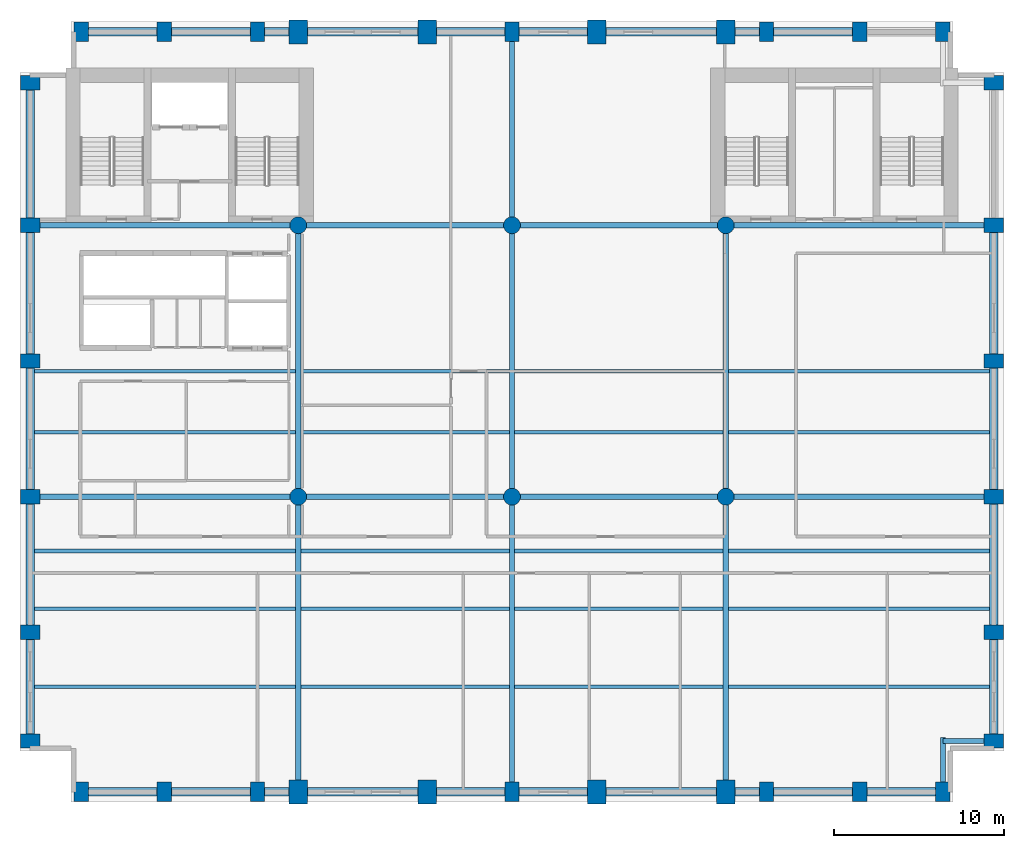
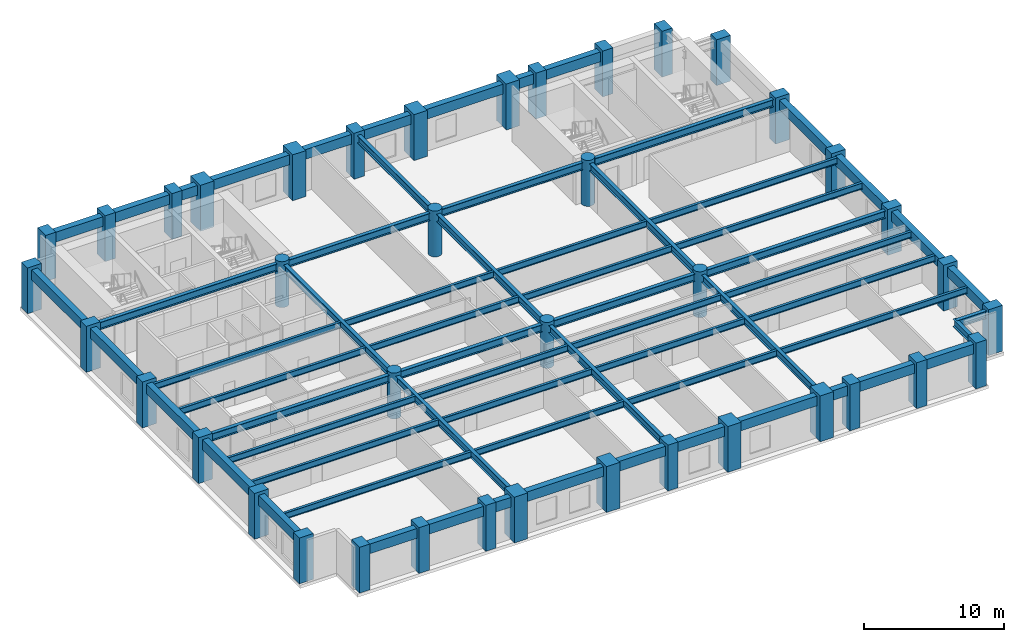
# One storey, part 1 of 8: 65 beams, 40 columns.
"""IFC4 building model written with IfcOpenShell, lengths in metres."""

from ifc_helpers import new_model, si_unit, direction, frame, origin, origin_2d, place, context, subcontext, project, spatial, rectangle, circle, i_section, extrude, material, material_profile, profile_set, type_object, element, save


model = new_model("IFC4")

# Units and contexts
model_context = context("Model", 3, precision=1e-05, world=origin(), true_north=direction((0.0, 1.0)))
body_context = subcontext(model_context, "Body", "Model", "MODEL_VIEW")
ifc_project = project(units=[si_unit("LENGTHUNIT", "METRE"), si_unit("AREAUNIT", "SQUARE_METRE"), si_unit("VOLUMEUNIT", "CUBIC_METRE"), si_unit("PLANEANGLEUNIT", "RADIAN"), si_unit("MASSUNIT", "GRAM", prefix="KILO")], contexts=[model_context])

# Site, building, storey
site_placement = place(None, origin())
site = spatial("IfcSite", under=ifc_project, at=site_placement, CompositionType="ELEMENT")
building_placement = place(site_placement, origin())
building = spatial("IfcBuilding", under=site, at=building_placement, Name="Sulina Concourse Tower", CompositionType="ELEMENT")
storey_placement = place(building_placement, frame((0.0, 0.0, 112.60009765625)))
storey = spatial("IfcBuildingStorey", under=building, at=storey_placement, Name="L27", CompositionType="ELEMENT", Elevation=112.60009765625)

# Columns
ifc_material_1 = material(Name="Concrete C60/75", Category="concrete")
ifc_material_profile_1 = material_profile(ifc_material_1, circle(Radius=0.5, at=origin_2d()), Name="RC D1000")
ifc_profile_set_1 = profile_set([ifc_material_profile_1], Name="Concrete C60/75")
column_type_1 = type_object("IfcColumnType", Name="Lower Interior Circular Column D1000", PredefinedType="COLUMN", material=ifc_profile_set_1)
for number, where, z_axis, x_axis, name in (
    (1, (16.39990234375, 18.0, 0.0), (0.0, 0.0, 1.0), (1.0, 0.0, 0.0), "L27 structural column IC-M-164"),
    (2, (16.39990234375, 34.0, 0.0), (0.0, 0.0, 1.0), (1.0, 0.0, 0.0), "L27 structural column IC-N-164"),
    (3, (29.0, 18.0, 0.0), (0.0, 0.0, 1.0), (1.0, 0.0, 0.0), "L27 structural column IC-M-290"),
    (4, (29.0, 34.0, 0.0), (0.0, 0.0, 1.0), (1.0, 0.0, 0.0), "L27 structural column IC-N-290"),
    (5, (41.60009765625, 18.0, 0.0), (0.0, 0.0, 1.0), (1.0, 0.0, 0.0), "L27 structural column IC-M-416"),
    (6, (41.60009765625, 34.0, 0.0), (0.0, 0.0, 1.0), (1.0, 0.0, 0.0), "L27 structural column IC-N-416"),
):
    element("IfcColumn", number, at=place(storey_placement, frame(where, z_axis=z_axis, x_axis=x_axis)), inside=storey, type_object=column_type_1, Name=name, PredefinedType="COLUMN", context=body_context, shape_type="SweptSolid", body=[
        extrude(circle(Radius=0.5, at=origin_2d()), origin(), (0.0, 0.0, 1.0), 4.0),
    ])
ifc_material_2 = material(Name="Concrete C60/75", Category="concrete")
ifc_material_profile_2 = material_profile(ifc_material_2, rectangle(XDim=1.10009765625, YDim=1.39990234375, at=origin_2d()), Name="RC 1100x1400")
ifc_profile_set_2 = profile_set([ifc_material_profile_2], Name="Concrete C60/75")
column_type_2 = type_object("IfcColumnType", Name="Mid-Rise Portal Column 1100x1400", PredefinedType="COLUMN", material=ifc_profile_set_2)
for number, where, z_axis, x_axis, name in (
    (7, (16.39990234375, 0.60009765625, 0.0), (0.0, 0.0, 1.0), (1.0, 0.0, 0.0), "L27 structural column TP-S-164"),
    (8, (16.39990234375, 45.39990234375, 0.0), (0.0, 0.0, 1.0), (1.0, 0.0, 0.0), "L27 structural column TP-N-164"),
    (9, (24.0, 0.60009765625, 0.0), (0.0, 0.0, 1.0), (1.0, 0.0, 0.0), "L27 structural column TP-S-240"),
    (10, (24.0, 45.39990234375, 0.0), (0.0, 0.0, 1.0), (1.0, 0.0, 0.0), "L27 structural column TP-N-240"),
    (11, (34.0, 0.60009765625, 0.0), (0.0, 0.0, 1.0), (1.0, 0.0, 0.0), "L27 structural column TP-S-340"),
    (12, (34.0, 45.39990234375, 0.0), (0.0, 0.0, 1.0), (1.0, 0.0, 0.0), "L27 structural column TP-N-340"),
    (13, (41.60009765625, 0.60009765625, 0.0), (0.0, 0.0, 1.0), (1.0, 0.0, 0.0), "L27 structural column TP-S-416"),
    (14, (41.60009765625, 45.39990234375, 0.0), (0.0, 0.0, 1.0), (1.0, 0.0, 0.0), "L27 structural column TP-N-416"),
):
    element("IfcColumn", number, at=place(storey_placement, frame(where, z_axis=z_axis, x_axis=x_axis)), inside=storey, type_object=column_type_2, Name=name, PredefinedType="COLUMN", context=body_context, shape_type="SweptSolid", body=[
        extrude(rectangle(XDim=1.10009765625, YDim=1.39990234375, at=origin_2d()), origin(), (0.0, 0.0, 1.0), 4.0),
    ])
ifc_material_3 = material(Name="Precast concrete C60/75", Category="concrete")
ifc_material_profile_3 = material_profile(ifc_material_3, rectangle(XDim=0.85009765625, YDim=1.14990234375, at=origin_2d()), Name="PC 850x1150")
ifc_profile_set_3 = profile_set([ifc_material_profile_3], Name="Precast concrete C60/75")
column_type_3 = type_object("IfcColumnType", Name="Precast Tube Pier Zone 2 850x1150", PredefinedType="COLUMN", material=ifc_profile_set_3)
for number, where, z_axis, x_axis, name in (
    (15, (3.60009765625, 0.60009765625, 0.0), (0.0, 0.0, 1.0), (1.0, 0.0, 0.0), "L27 structural column TP-S-36"),
    (16, (3.60009765625, 45.39990234375, 0.0), (0.0, 0.0, 1.0), (1.0, 0.0, 0.0), "L27 structural column TP-N-36"),
    (17, (8.5, 0.60009765625, 0.0), (0.0, 0.0, 1.0), (1.0, 0.0, 0.0), "L27 structural column TP-S-85"),
    (18, (8.5, 45.39990234375, 0.0), (0.0, 0.0, 1.0), (1.0, 0.0, 0.0), "L27 structural column TP-N-85"),
    (19, (14.0, 0.60009765625, 0.0), (0.0, 0.0, 1.0), (1.0, 0.0, 0.0), "L27 structural column TP-S-140"),
    (20, (14.0, 45.39990234375, 0.0), (0.0, 0.0, 1.0), (1.0, 0.0, 0.0), "L27 structural column TP-N-140"),
    (21, (29.0, 0.60009765625, 0.0), (0.0, 0.0, 1.0), (1.0, 0.0, 0.0), "L27 structural column TP-S-290"),
    (22, (29.0, 45.39990234375, 0.0), (0.0, 0.0, 1.0), (1.0, 0.0, 0.0), "L27 structural column TP-N-290"),
    (23, (44.0, 0.60009765625, 0.0), (0.0, 0.0, 1.0), (1.0, 0.0, 0.0), "L27 structural column TP-S-440"),
    (24, (44.0, 45.39990234375, 0.0), (0.0, 0.0, 1.0), (1.0, 0.0, 0.0), "L27 structural column TP-N-440"),
    (25, (49.5, 0.60009765625, 0.0), (0.0, 0.0, 1.0), (1.0, 0.0, 0.0), "L27 structural column TP-S-495"),
    (26, (49.5, 45.39990234375, 0.0), (0.0, 0.0, 1.0), (1.0, 0.0, 0.0), "L27 structural column TP-N-495"),
    (27, (54.39990234375, 0.60009765625, 0.0), (0.0, 0.0, 1.0), (1.0, 0.0, 0.0), "L27 structural column TP-S-544"),
    (28, (54.39990234375, 45.39990234375, 0.0), (0.0, 0.0, 1.0), (1.0, 0.0, 0.0), "L27 structural column TP-N-544"),
    (29, (0.60009765625, 3.60009765625, 0.0), (0.0, 0.0, 1.0), (0.0, 1.0, 0.0), "L27 structural column TP-W-36"),
    (30, (57.39990234375, 3.60009765625, 0.0), (0.0, 0.0, 1.0), (0.0, 1.0, 0.0), "L27 structural column TP-E-36"),
    (31, (0.60009765625, 10.0, 0.0), (0.0, 0.0, 1.0), (0.0, 1.0, 0.0), "L27 structural column TP-W-100"),
    (32, (57.39990234375, 10.0, 0.0), (0.0, 0.0, 1.0), (0.0, 1.0, 0.0), "L27 structural column TP-E-100"),
    (33, (0.60009765625, 18.0, 0.0), (0.0, 0.0, 1.0), (0.0, 1.0, 0.0), "L27 structural column TP-W-180"),
    (34, (57.39990234375, 18.0, 0.0), (0.0, 0.0, 1.0), (0.0, 1.0, 0.0), "L27 structural column TP-E-180"),
    (35, (0.60009765625, 26.0, 0.0), (0.0, 0.0, 1.0), (0.0, 1.0, 0.0), "L27 structural column TP-W-260"),
    (36, (57.39990234375, 26.0, 0.0), (0.0, 0.0, 1.0), (0.0, 1.0, 0.0), "L27 structural column TP-E-260"),
    (37, (0.60009765625, 34.0, 0.0), (0.0, 0.0, 1.0), (0.0, 1.0, 0.0), "L27 structural column TP-W-340"),
    (38, (57.39990234375, 34.0, 0.0), (0.0, 0.0, 1.0), (0.0, 1.0, 0.0), "L27 structural column TP-E-340"),
    (39, (0.60009765625, 42.39990234375, 0.0), (0.0, 0.0, 1.0), (0.0, 1.0, 0.0), "L27 structural column TP-W-424"),
    (40, (57.39990234375, 42.39990234375, 0.0), (0.0, 0.0, 1.0), (0.0, 1.0, 0.0), "L27 structural column TP-E-424"),
):
    element("IfcColumn", number, at=place(storey_placement, frame(where, z_axis=z_axis, x_axis=x_axis)), inside=storey, type_object=column_type_3, Name=name, PredefinedType="COLUMN", context=body_context, shape_type="SweptSolid", body=[
        extrude(rectangle(XDim=0.85009765625, YDim=1.14990234375, at=origin_2d()), origin(), (0.0, 0.0, 1.0), 4.0),
    ])

# Beams
ifc_material_4 = material(Name="Steel S355", Category="steel")
ifc_material_profile_4 = material_profile(ifc_material_4, i_section(OverallWidth=0.2099609375, OverallDepth=0.550048828125, WebThickness=0.010986328125, FlangeThickness=0.01708984375, at=origin_2d()), Name="IPE 550")
ifc_profile_set_4 = profile_set([ifc_material_profile_4], Name="Steel S355")
beam_type_1 = type_object("IfcBeamType", Name="Composite Floor Joist IPE550", PredefinedType="JOIST", material=ifc_profile_set_4)
beam_1_placement = place(storey_placement, frame((0.85009765625, 6.800048828125, 3.449951171875), z_axis=(1.0, 0.0, 0.0), x_axis=(0.0, 1.0, 0.0)))
element("IfcBeam", 41, at=beam_1_placement, inside=storey, type_object=beam_type_1, Name="FJ-J06-1-L27", PredefinedType="JOIST", context=body_context, shape_type="SweptSolid", body=[
    extrude(i_section(OverallWidth=0.2099609375, OverallDepth=0.550048828125, WebThickness=0.010986328125, FlangeThickness=0.01708984375, at=origin_2d()), origin(), (0.0, 0.0, 1.0), 15.39990234375),
])
for number, where, z_axis, x_axis, name in (
    (42, (16.550048828125, 6.800048828125, 3.449951171875), (1.0, 0.0, 0.0), (0.0, 1.0, 0.0), "FJ-J06-2-L27"),
    (43, (29.14990234375, 6.800048828125, 3.449951171875), (1.0, 0.0, 0.0), (0.0, 1.0, 0.0), "FJ-J06-3-L27"),
):
    element("IfcBeam", number, at=place(storey_placement, frame(where, z_axis=z_axis, x_axis=x_axis)), inside=storey, type_object=beam_type_1, Name=name, PredefinedType="JOIST", context=body_context, shape_type="SweptSolid", body=[
        extrude(i_section(OverallWidth=0.2099609375, OverallDepth=0.550048828125, WebThickness=0.010986328125, FlangeThickness=0.01708984375, at=origin_2d()), origin(), (0.0, 0.0, 1.0), 12.300048828125),
    ])
for number, where, z_axis, x_axis, name in (
    (44, (41.75, 6.800048828125, 3.449951171875), (1.0, 0.0, 0.0), (0.0, 1.0, 0.0), "FJ-J06-4-L27"),
    (45, (0.85009765625, 11.39990234375, 3.449951171875), (1.0, 0.0, 0.0), (0.0, 1.0, 0.0), "FJ-J11-1-L27"),
):
    element("IfcBeam", number, at=place(storey_placement, frame(where, z_axis=z_axis, x_axis=x_axis)), inside=storey, type_object=beam_type_1, Name=name, PredefinedType="JOIST", context=body_context, shape_type="SweptSolid", body=[
        extrude(i_section(OverallWidth=0.2099609375, OverallDepth=0.550048828125, WebThickness=0.010986328125, FlangeThickness=0.01708984375, at=origin_2d()), origin(), (0.0, 0.0, 1.0), 15.39990234375),
    ])
for number, where, z_axis, x_axis, name in (
    (46, (16.550048828125, 11.39990234375, 3.449951171875), (1.0, 0.0, 0.0), (0.0, 1.0, 0.0), "FJ-J11-2-L27"),
    (47, (29.14990234375, 11.39990234375, 3.449951171875), (1.0, 0.0, 0.0), (0.0, 1.0, 0.0), "FJ-J11-3-L27"),
):
    element("IfcBeam", number, at=place(storey_placement, frame(where, z_axis=z_axis, x_axis=x_axis)), inside=storey, type_object=beam_type_1, Name=name, PredefinedType="JOIST", context=body_context, shape_type="SweptSolid", body=[
        extrude(i_section(OverallWidth=0.2099609375, OverallDepth=0.550048828125, WebThickness=0.010986328125, FlangeThickness=0.01708984375, at=origin_2d()), origin(), (0.0, 0.0, 1.0), 12.300048828125),
    ])
for number, where, z_axis, x_axis, name in (
    (48, (41.75, 11.39990234375, 3.449951171875), (1.0, 0.0, 0.0), (0.0, 1.0, 0.0), "FJ-J11-4-L27"),
    (49, (0.85009765625, 14.800048828125, 3.449951171875), (1.0, 0.0, 0.0), (0.0, 1.0, 0.0), "FJ-J15-1-L27"),
):
    element("IfcBeam", number, at=place(storey_placement, frame(where, z_axis=z_axis, x_axis=x_axis)), inside=storey, type_object=beam_type_1, Name=name, PredefinedType="JOIST", context=body_context, shape_type="SweptSolid", body=[
        extrude(i_section(OverallWidth=0.2099609375, OverallDepth=0.550048828125, WebThickness=0.010986328125, FlangeThickness=0.01708984375, at=origin_2d()), origin(), (0.0, 0.0, 1.0), 15.39990234375),
    ])
for number, where, z_axis, x_axis, name in (
    (50, (16.550048828125, 14.800048828125, 3.449951171875), (1.0, 0.0, 0.0), (0.0, 1.0, 0.0), "FJ-J15-2-L27"),
    (51, (29.14990234375, 14.800048828125, 3.449951171875), (1.0, 0.0, 0.0), (0.0, 1.0, 0.0), "FJ-J15-3-L27"),
):
    element("IfcBeam", number, at=place(storey_placement, frame(where, z_axis=z_axis, x_axis=x_axis)), inside=storey, type_object=beam_type_1, Name=name, PredefinedType="JOIST", context=body_context, shape_type="SweptSolid", body=[
        extrude(i_section(OverallWidth=0.2099609375, OverallDepth=0.550048828125, WebThickness=0.010986328125, FlangeThickness=0.01708984375, at=origin_2d()), origin(), (0.0, 0.0, 1.0), 12.300048828125),
    ])
for number, where, z_axis, x_axis, name in (
    (52, (41.75, 14.800048828125, 3.449951171875), (1.0, 0.0, 0.0), (0.0, 1.0, 0.0), "FJ-J15-4-L27"),
    (53, (0.85009765625, 21.800048828125, 3.449951171875), (1.0, 0.0, 0.0), (0.0, 1.0, 0.0), "FJ-J22-1-L27"),
):
    element("IfcBeam", number, at=place(storey_placement, frame(where, z_axis=z_axis, x_axis=x_axis)), inside=storey, type_object=beam_type_1, Name=name, PredefinedType="JOIST", context=body_context, shape_type="SweptSolid", body=[
        extrude(i_section(OverallWidth=0.2099609375, OverallDepth=0.550048828125, WebThickness=0.010986328125, FlangeThickness=0.01708984375, at=origin_2d()), origin(), (0.0, 0.0, 1.0), 15.39990234375),
    ])
for number, where, z_axis, x_axis, name in (
    (54, (16.550048828125, 21.800048828125, 3.449951171875), (1.0, 0.0, 0.0), (0.0, 1.0, 0.0), "FJ-J22-2-L27"),
    (55, (29.14990234375, 21.800048828125, 3.449951171875), (1.0, 0.0, 0.0), (0.0, 1.0, 0.0), "FJ-J22-3-L27"),
):
    element("IfcBeam", number, at=place(storey_placement, frame(where, z_axis=z_axis, x_axis=x_axis)), inside=storey, type_object=beam_type_1, Name=name, PredefinedType="JOIST", context=body_context, shape_type="SweptSolid", body=[
        extrude(i_section(OverallWidth=0.2099609375, OverallDepth=0.550048828125, WebThickness=0.010986328125, FlangeThickness=0.01708984375, at=origin_2d()), origin(), (0.0, 0.0, 1.0), 12.300048828125),
    ])
for number, where, z_axis, x_axis, name in (
    (56, (41.75, 21.800048828125, 3.449951171875), (1.0, 0.0, 0.0), (0.0, 1.0, 0.0), "FJ-J22-4-L27"),
    (57, (0.85009765625, 25.39990234375, 3.449951171875), (1.0, 0.0, 0.0), (0.0, 1.0, 0.0), "FJ-J25-1-L27"),
):
    element("IfcBeam", number, at=place(storey_placement, frame(where, z_axis=z_axis, x_axis=x_axis)), inside=storey, type_object=beam_type_1, Name=name, PredefinedType="JOIST", context=body_context, shape_type="SweptSolid", body=[
        extrude(i_section(OverallWidth=0.2099609375, OverallDepth=0.550048828125, WebThickness=0.010986328125, FlangeThickness=0.01708984375, at=origin_2d()), origin(), (0.0, 0.0, 1.0), 15.39990234375),
    ])
for number, where, z_axis, x_axis, name in (
    (58, (16.550048828125, 25.39990234375, 3.449951171875), (1.0, 0.0, 0.0), (0.0, 1.0, 0.0), "FJ-J25-2-L27"),
    (59, (29.14990234375, 25.39990234375, 3.449951171875), (1.0, 0.0, 0.0), (0.0, 1.0, 0.0), "FJ-J25-3-L27"),
):
    element("IfcBeam", number, at=place(storey_placement, frame(where, z_axis=z_axis, x_axis=x_axis)), inside=storey, type_object=beam_type_1, Name=name, PredefinedType="JOIST", context=body_context, shape_type="SweptSolid", body=[
        extrude(i_section(OverallWidth=0.2099609375, OverallDepth=0.550048828125, WebThickness=0.010986328125, FlangeThickness=0.01708984375, at=origin_2d()), origin(), (0.0, 0.0, 1.0), 12.300048828125),
    ])
beam_2_placement = place(storey_placement, frame((41.75, 25.39990234375, 3.449951171875), z_axis=(1.0, 0.0, 0.0), x_axis=(0.0, 1.0, 0.0)))
element("IfcBeam", 60, at=beam_2_placement, inside=storey, type_object=beam_type_1, Name="FJ-J25-4-L27", PredefinedType="JOIST", context=body_context, shape_type="SweptSolid", body=[
    extrude(i_section(OverallWidth=0.2099609375, OverallDepth=0.550048828125, WebThickness=0.010986328125, FlangeThickness=0.01708984375, at=origin_2d()), origin(), (0.0, 0.0, 1.0), 15.39990234375),
])
ifc_material_5 = material(Name="Steel S355", Category="steel")
ifc_material_profile_5 = material_profile(ifc_material_5, i_section(OverallWidth=0.300048828125, OverallDepth=0.64990234375, WebThickness=0.01611328125, FlangeThickness=0.031005859375, at=origin_2d()), Name="HE 650 B")
ifc_profile_set_5 = profile_set([ifc_material_profile_5], Name="Steel S355")
beam_type_2 = type_object("IfcBeamType", Name="Floor Primary Girder Zone 2 HE650B", PredefinedType="BEAM", material=ifc_profile_set_5)
beam_3_placement = place(storey_placement, frame((54.39990234375, 3.60009765625, 3.39990234375), z_axis=(1.0, 0.0, 0.0), x_axis=(0.0, 1.0, 0.0)))
element("IfcBeam", 61, at=beam_3_placement, inside=storey, type_object=beam_type_2, Name="TIE-SE-L27", PredefinedType="BEAM", context=body_context, shape_type="SweptSolid", body=[
    extrude(i_section(OverallWidth=0.300048828125, OverallDepth=0.64990234375, WebThickness=0.01611328125, FlangeThickness=0.031005859375, at=origin_2d()), origin(), (0.0, 0.0, 1.0), 2.59521484375),
])
beam_4_placement = place(storey_placement, frame((54.39990234375, 1.0048828125, 3.39990234375), z_axis=(0.0, 1.0, 0.0), x_axis=(-1.0, 0.0, 0.0)))
element("IfcBeam", 62, at=beam_4_placement, inside=storey, type_object=beam_type_2, Name="TIE-SES-L27", PredefinedType="BEAM", context=body_context, shape_type="SweptSolid", body=[
    extrude(i_section(OverallWidth=0.300048828125, OverallDepth=0.64990234375, WebThickness=0.01611328125, FlangeThickness=0.031005859375, at=origin_2d()), origin(), (0.0, 0.0, 1.0), 2.795166015625),
])
beam_5_placement = place(storey_placement, frame((1.0048828125, 18.0, 3.39990234375), z_axis=(1.0, 0.0, 0.0), x_axis=(0.0, 1.0, 0.0)))
element("IfcBeam", 63, at=beam_5_placement, inside=storey, type_object=beam_type_2, Name="FG-EW1-L27", PredefinedType="BEAM", context=body_context, shape_type="SweptSolid", body=[
    extrude(i_section(OverallWidth=0.300048828125, OverallDepth=0.64990234375, WebThickness=0.01611328125, FlangeThickness=0.031005859375, at=origin_2d()), origin(), (0.0, 0.0, 1.0), 14.9150390625),
])
for number, where, z_axis, x_axis, name in (
    (64, (16.8798828125, 18.0, 3.39990234375), (1.0, 0.0, 0.0), (0.0, 1.0, 0.0), "FG-EW2-L27"),
    (65, (29.47998046875, 18.0, 3.39990234375), (1.0, 0.0, 0.0), (0.0, 1.0, 0.0), "FG-EW3-L27"),
):
    element("IfcBeam", number, at=place(storey_placement, frame(where, z_axis=z_axis, x_axis=x_axis)), inside=storey, type_object=beam_type_2, Name=name, PredefinedType="BEAM", context=body_context, shape_type="SweptSolid", body=[
        extrude(i_section(OverallWidth=0.300048828125, OverallDepth=0.64990234375, WebThickness=0.01611328125, FlangeThickness=0.031005859375, at=origin_2d()), origin(), (0.0, 0.0, 1.0), 11.64013671875),
    ])
for number, where, z_axis, x_axis, name in (
    (66, (42.080078125, 18.0, 3.39990234375), (1.0, 0.0, 0.0), (0.0, 1.0, 0.0), "FG-EW4-L27"),
    (67, (1.0048828125, 34.0, 3.39990234375), (1.0, 0.0, 0.0), (0.0, 1.0, 0.0), "FG-EWN1-L27"),
):
    element("IfcBeam", number, at=place(storey_placement, frame(where, z_axis=z_axis, x_axis=x_axis)), inside=storey, type_object=beam_type_2, Name=name, PredefinedType="BEAM", context=body_context, shape_type="SweptSolid", body=[
        extrude(i_section(OverallWidth=0.300048828125, OverallDepth=0.64990234375, WebThickness=0.01611328125, FlangeThickness=0.031005859375, at=origin_2d()), origin(), (0.0, 0.0, 1.0), 14.9150390625),
    ])
for number, where, z_axis, x_axis, name in (
    (68, (16.8798828125, 34.0, 3.39990234375), (1.0, 0.0, 0.0), (0.0, 1.0, 0.0), "FG-EWN2-L27"),
    (69, (29.47998046875, 34.0, 3.39990234375), (1.0, 0.0, 0.0), (0.0, 1.0, 0.0), "FG-EWN3-L27"),
):
    element("IfcBeam", number, at=place(storey_placement, frame(where, z_axis=z_axis, x_axis=x_axis)), inside=storey, type_object=beam_type_2, Name=name, PredefinedType="BEAM", context=body_context, shape_type="SweptSolid", body=[
        extrude(i_section(OverallWidth=0.300048828125, OverallDepth=0.64990234375, WebThickness=0.01611328125, FlangeThickness=0.031005859375, at=origin_2d()), origin(), (0.0, 0.0, 1.0), 11.64013671875),
    ])
beam_6_placement = place(storey_placement, frame((42.080078125, 34.0, 3.39990234375), z_axis=(1.0, 0.0, 0.0), x_axis=(0.0, 1.0, 0.0)))
element("IfcBeam", 70, at=beam_6_placement, inside=storey, type_object=beam_type_2, Name="FG-EWN4-L27", PredefinedType="BEAM", context=body_context, shape_type="SweptSolid", body=[
    extrude(i_section(OverallWidth=0.300048828125, OverallDepth=0.64990234375, WebThickness=0.01611328125, FlangeThickness=0.031005859375, at=origin_2d()), origin(), (0.0, 0.0, 1.0), 14.9150390625),
])
beam_7_placement = place(storey_placement, frame((16.39990234375, 1.1298828125, 3.39990234375), z_axis=(0.0, 1.0, 0.0), x_axis=(-1.0, 0.0, 0.0)))
element("IfcBeam", 71, at=beam_7_placement, inside=storey, type_object=beam_type_2, Name="FG-NSA-16-L27", PredefinedType="BEAM", context=body_context, shape_type="SweptSolid", body=[
    extrude(i_section(OverallWidth=0.300048828125, OverallDepth=0.64990234375, WebThickness=0.01611328125, FlangeThickness=0.031005859375, at=origin_2d()), origin(), (0.0, 0.0, 1.0), 16.39013671875),
])
beam_8_placement = place(storey_placement, frame((16.39990234375, 18.47998046875, 3.39990234375), z_axis=(0.0, 1.0, 0.0), x_axis=(-1.0, 0.0, 0.0)))
element("IfcBeam", 72, at=beam_8_placement, inside=storey, type_object=beam_type_2, Name="FG-NSB-16-L27", PredefinedType="BEAM", context=body_context, shape_type="SweptSolid", body=[
    extrude(i_section(OverallWidth=0.300048828125, OverallDepth=0.64990234375, WebThickness=0.01611328125, FlangeThickness=0.031005859375, at=origin_2d()), origin(), (0.0, 0.0, 1.0), 15.0400390625),
])
beam_9_placement = place(storey_placement, frame((29.0, 1.0048828125, 3.39990234375), z_axis=(0.0, 1.0, 0.0), x_axis=(-1.0, 0.0, 0.0)))
element("IfcBeam", 73, at=beam_9_placement, inside=storey, type_object=beam_type_2, Name="FG-NSA-29-L27", PredefinedType="BEAM", context=body_context, shape_type="SweptSolid", body=[
    extrude(i_section(OverallWidth=0.300048828125, OverallDepth=0.64990234375, WebThickness=0.01611328125, FlangeThickness=0.031005859375, at=origin_2d()), origin(), (0.0, 0.0, 1.0), 16.51513671875),
])
beam_10_placement = place(storey_placement, frame((29.0, 18.47998046875, 3.39990234375), z_axis=(0.0, 1.0, 0.0), x_axis=(-1.0, 0.0, 0.0)))
element("IfcBeam", 74, at=beam_10_placement, inside=storey, type_object=beam_type_2, Name="FG-NSB-29-L27", PredefinedType="BEAM", context=body_context, shape_type="SweptSolid", body=[
    extrude(i_section(OverallWidth=0.300048828125, OverallDepth=0.64990234375, WebThickness=0.01611328125, FlangeThickness=0.031005859375, at=origin_2d()), origin(), (0.0, 0.0, 1.0), 15.0400390625),
])
beam_11_placement = place(storey_placement, frame((29.0, 34.47998046875, 3.39990234375), z_axis=(0.0, 1.0, 0.0), x_axis=(-1.0, 0.0, 0.0)))
element("IfcBeam", 75, at=beam_11_placement, inside=storey, type_object=beam_type_2, Name="FG-NSC-29-L27", PredefinedType="BEAM", context=body_context, shape_type="SweptSolid", body=[
    extrude(i_section(OverallWidth=0.300048828125, OverallDepth=0.64990234375, WebThickness=0.01611328125, FlangeThickness=0.031005859375, at=origin_2d()), origin(), (0.0, 0.0, 1.0), 10.51513671875),
])
beam_12_placement = place(storey_placement, frame((41.60009765625, 1.1298828125, 3.39990234375), z_axis=(0.0, 1.0, 0.0), x_axis=(-1.0, 0.0, 0.0)))
element("IfcBeam", 76, at=beam_12_placement, inside=storey, type_object=beam_type_2, Name="FG-NSA-41-L27", PredefinedType="BEAM", context=body_context, shape_type="SweptSolid", body=[
    extrude(i_section(OverallWidth=0.300048828125, OverallDepth=0.64990234375, WebThickness=0.01611328125, FlangeThickness=0.031005859375, at=origin_2d()), origin(), (0.0, 0.0, 1.0), 16.39013671875),
])
beam_13_placement = place(storey_placement, frame((41.60009765625, 18.47998046875, 3.39990234375), z_axis=(0.0, 1.0, 0.0), x_axis=(-1.0, 0.0, 0.0)))
element("IfcBeam", 77, at=beam_13_placement, inside=storey, type_object=beam_type_2, Name="FG-NSB-41-L27", PredefinedType="BEAM", context=body_context, shape_type="SweptSolid", body=[
    extrude(i_section(OverallWidth=0.300048828125, OverallDepth=0.64990234375, WebThickness=0.01611328125, FlangeThickness=0.031005859375, at=origin_2d()), origin(), (0.0, 0.0, 1.0), 15.0400390625),
])
ifc_material_6 = material(Name="Precast concrete C50/60", Category="concrete")
ifc_material_profile_6 = material_profile(ifc_material_6, rectangle(XDim=0.5, YDim=0.85009765625, at=origin_2d()), Name="RC 500x850")
ifc_profile_set_6 = profile_set([ifc_material_profile_6], Name="Precast concrete C50/60")
beam_type_3 = type_object("IfcBeamType", Name="Lower Precast Spandrel Edge Beam 500x850", PredefinedType="BEAM", material=ifc_profile_set_6)
beam_14_placement = place(storey_placement, frame((4.0048828125, 0.60009765625, 3.2998046875), z_axis=(1.0, 0.0, 0.0), x_axis=(0.0, 1.0, 0.0)))
element("IfcBeam", 78, at=beam_14_placement, inside=storey, type_object=beam_type_3, Name="SP-S1-L27", PredefinedType="BEAM", context=body_context, shape_type="SweptSolid", body=[
    extrude(rectangle(XDim=0.5, YDim=0.85009765625, at=origin_2d()), origin(), (0.0, 0.0, 1.0), 4.090087890625),
])
beam_15_placement = place(storey_placement, frame((8.905029296875, 0.60009765625, 3.2998046875), z_axis=(1.0, 0.0, 0.0), x_axis=(0.0, 1.0, 0.0)))
element("IfcBeam", 79, at=beam_15_placement, inside=storey, type_object=beam_type_3, Name="SP-S2-L27", PredefinedType="BEAM", context=body_context, shape_type="SweptSolid", body=[
    extrude(rectangle(XDim=0.5, YDim=0.85009765625, at=origin_2d()), origin(), (0.0, 0.0, 1.0), 4.68994140625),
])
beam_16_placement = place(storey_placement, frame((14.405029296875, 0.60009765625, 3.2998046875), z_axis=(1.0, 0.0, 0.0), x_axis=(0.0, 1.0, 0.0)))
element("IfcBeam", 80, at=beam_16_placement, inside=storey, type_object=beam_type_3, Name="SP-S3-L27", PredefinedType="BEAM", context=body_context, shape_type="SweptSolid", body=[
    extrude(rectangle(XDim=0.5, YDim=0.85009765625, at=origin_2d()), origin(), (0.0, 0.0, 1.0), 1.465087890625),
])
beam_17_placement = place(storey_placement, frame((16.929931640625, 0.60009765625, 3.2998046875), z_axis=(1.0, 0.0, 0.0), x_axis=(0.0, 1.0, 0.0)))
element("IfcBeam", 81, at=beam_17_placement, inside=storey, type_object=beam_type_3, Name="SP-S4-L27", PredefinedType="BEAM", context=body_context, shape_type="SweptSolid", body=[
    extrude(rectangle(XDim=0.5, YDim=0.85009765625, at=origin_2d()), origin(), (0.0, 0.0, 1.0), 6.5400390625),
])
for number, where, z_axis, x_axis, name in (
    (82, (24.530029296875, 0.60009765625, 3.2998046875), (1.0, 0.0, 0.0), (0.0, 1.0, 0.0), "SP-S5-L27"),
    (83, (29.405029296875, 0.60009765625, 3.2998046875), (1.0, 0.0, 0.0), (0.0, 1.0, 0.0), "SP-S6-L27"),
):
    element("IfcBeam", number, at=place(storey_placement, frame(where, z_axis=z_axis, x_axis=x_axis)), inside=storey, type_object=beam_type_3, Name=name, PredefinedType="BEAM", context=body_context, shape_type="SweptSolid", body=[
        extrude(rectangle(XDim=0.5, YDim=0.85009765625, at=origin_2d()), origin(), (0.0, 0.0, 1.0), 4.06494140625),
    ])
beam_18_placement = place(storey_placement, frame((34.530029296875, 0.60009765625, 3.2998046875), z_axis=(1.0, 0.0, 0.0), x_axis=(0.0, 1.0, 0.0)))
element("IfcBeam", 84, at=beam_18_placement, inside=storey, type_object=beam_type_3, Name="SP-S7-L27", PredefinedType="BEAM", context=body_context, shape_type="SweptSolid", body=[
    extrude(rectangle(XDim=0.5, YDim=0.85009765625, at=origin_2d()), origin(), (0.0, 0.0, 1.0), 6.5400390625),
])
beam_19_placement = place(storey_placement, frame((42.1298828125, 0.60009765625, 3.2998046875), z_axis=(1.0, 0.0, 0.0), x_axis=(0.0, 1.0, 0.0)))
element("IfcBeam", 85, at=beam_19_placement, inside=storey, type_object=beam_type_3, Name="SP-S8-L27", PredefinedType="BEAM", context=body_context, shape_type="SweptSolid", body=[
    extrude(rectangle(XDim=0.5, YDim=0.85009765625, at=origin_2d()), origin(), (0.0, 0.0, 1.0), 1.465087890625),
])
beam_20_placement = place(storey_placement, frame((44.405029296875, 0.60009765625, 3.2998046875), z_axis=(1.0, 0.0, 0.0), x_axis=(0.0, 1.0, 0.0)))
element("IfcBeam", 86, at=beam_20_placement, inside=storey, type_object=beam_type_3, Name="SP-S9-L27", PredefinedType="BEAM", context=body_context, shape_type="SweptSolid", body=[
    extrude(rectangle(XDim=0.5, YDim=0.85009765625, at=origin_2d()), origin(), (0.0, 0.0, 1.0), 4.68994140625),
])
for number, where, z_axis, x_axis, name in (
    (87, (49.905029296875, 0.60009765625, 3.2998046875), (1.0, 0.0, 0.0), (0.0, 1.0, 0.0), "SP-S10-L27"),
    (88, (4.0048828125, 45.39990234375, 3.2998046875), (1.0, 0.0, 0.0), (0.0, 1.0, 0.0), "SP-N1-L27"),
):
    element("IfcBeam", number, at=place(storey_placement, frame(where, z_axis=z_axis, x_axis=x_axis)), inside=storey, type_object=beam_type_3, Name=name, PredefinedType="BEAM", context=body_context, shape_type="SweptSolid", body=[
        extrude(rectangle(XDim=0.5, YDim=0.85009765625, at=origin_2d()), origin(), (0.0, 0.0, 1.0), 4.090087890625),
    ])
beam_21_placement = place(storey_placement, frame((8.905029296875, 45.39990234375, 3.2998046875), z_axis=(1.0, 0.0, 0.0), x_axis=(0.0, 1.0, 0.0)))
element("IfcBeam", 89, at=beam_21_placement, inside=storey, type_object=beam_type_3, Name="SP-N2-L27", PredefinedType="BEAM", context=body_context, shape_type="SweptSolid", body=[
    extrude(rectangle(XDim=0.5, YDim=0.85009765625, at=origin_2d()), origin(), (0.0, 0.0, 1.0), 4.68994140625),
])
beam_22_placement = place(storey_placement, frame((14.405029296875, 45.39990234375, 3.2998046875), z_axis=(1.0, 0.0, 0.0), x_axis=(0.0, 1.0, 0.0)))
element("IfcBeam", 90, at=beam_22_placement, inside=storey, type_object=beam_type_3, Name="SP-N3-L27", PredefinedType="BEAM", context=body_context, shape_type="SweptSolid", body=[
    extrude(rectangle(XDim=0.5, YDim=0.85009765625, at=origin_2d()), origin(), (0.0, 0.0, 1.0), 1.465087890625),
])
beam_23_placement = place(storey_placement, frame((16.929931640625, 45.39990234375, 3.2998046875), z_axis=(1.0, 0.0, 0.0), x_axis=(0.0, 1.0, 0.0)))
element("IfcBeam", 91, at=beam_23_placement, inside=storey, type_object=beam_type_3, Name="SP-N4-L27", PredefinedType="BEAM", context=body_context, shape_type="SweptSolid", body=[
    extrude(rectangle(XDim=0.5, YDim=0.85009765625, at=origin_2d()), origin(), (0.0, 0.0, 1.0), 6.5400390625),
])
for number, where, z_axis, x_axis, name in (
    (92, (24.530029296875, 45.39990234375, 3.2998046875), (1.0, 0.0, 0.0), (0.0, 1.0, 0.0), "SP-N5-L27"),
    (93, (29.405029296875, 45.39990234375, 3.2998046875), (1.0, 0.0, 0.0), (0.0, 1.0, 0.0), "SP-N6-L27"),
):
    element("IfcBeam", number, at=place(storey_placement, frame(where, z_axis=z_axis, x_axis=x_axis)), inside=storey, type_object=beam_type_3, Name=name, PredefinedType="BEAM", context=body_context, shape_type="SweptSolid", body=[
        extrude(rectangle(XDim=0.5, YDim=0.85009765625, at=origin_2d()), origin(), (0.0, 0.0, 1.0), 4.06494140625),
    ])
beam_24_placement = place(storey_placement, frame((34.530029296875, 45.39990234375, 3.2998046875), z_axis=(1.0, 0.0, 0.0), x_axis=(0.0, 1.0, 0.0)))
element("IfcBeam", 94, at=beam_24_placement, inside=storey, type_object=beam_type_3, Name="SP-N7-L27", PredefinedType="BEAM", context=body_context, shape_type="SweptSolid", body=[
    extrude(rectangle(XDim=0.5, YDim=0.85009765625, at=origin_2d()), origin(), (0.0, 0.0, 1.0), 6.5400390625),
])
beam_25_placement = place(storey_placement, frame((42.1298828125, 45.39990234375, 3.2998046875), z_axis=(1.0, 0.0, 0.0), x_axis=(0.0, 1.0, 0.0)))
element("IfcBeam", 95, at=beam_25_placement, inside=storey, type_object=beam_type_3, Name="SP-N8-L27", PredefinedType="BEAM", context=body_context, shape_type="SweptSolid", body=[
    extrude(rectangle(XDim=0.5, YDim=0.85009765625, at=origin_2d()), origin(), (0.0, 0.0, 1.0), 1.465087890625),
])
beam_26_placement = place(storey_placement, frame((44.405029296875, 45.39990234375, 3.2998046875), z_axis=(1.0, 0.0, 0.0), x_axis=(0.0, 1.0, 0.0)))
element("IfcBeam", 96, at=beam_26_placement, inside=storey, type_object=beam_type_3, Name="SP-N9-L27", PredefinedType="BEAM", context=body_context, shape_type="SweptSolid", body=[
    extrude(rectangle(XDim=0.5, YDim=0.85009765625, at=origin_2d()), origin(), (0.0, 0.0, 1.0), 4.68994140625),
])
beam_27_placement = place(storey_placement, frame((0.60009765625, 4.0048828125, 3.2998046875), z_axis=(0.0, 1.0, 0.0), x_axis=(-1.0, 0.0, 0.0)))
element("IfcBeam", 97, at=beam_27_placement, inside=storey, type_object=beam_type_3, Name="SP-W1-L27", PredefinedType="BEAM", context=body_context, shape_type="SweptSolid", body=[
    extrude(rectangle(XDim=0.5, YDim=0.85009765625, at=origin_2d()), origin(), (0.0, 0.0, 1.0), 5.590087890625),
])
for number, where, z_axis, x_axis, name in (
    (98, (0.60009765625, 10.405029296875, 3.2998046875), (0.0, 1.0, 0.0), (-1.0, 0.0, 0.0), "SP-W2-L27"),
    (99, (0.60009765625, 18.405029296875, 3.2998046875), (0.0, 1.0, 0.0), (-1.0, 0.0, 0.0), "SP-W3-L27"),
    (100, (0.60009765625, 26.405029296875, 3.2998046875), (0.0, 1.0, 0.0), (-1.0, 0.0, 0.0), "SP-W4-L27"),
):
    element("IfcBeam", number, at=place(storey_placement, frame(where, z_axis=z_axis, x_axis=x_axis)), inside=storey, type_object=beam_type_3, Name=name, PredefinedType="BEAM", context=body_context, shape_type="SweptSolid", body=[
        extrude(rectangle(XDim=0.5, YDim=0.85009765625, at=origin_2d()), origin(), (0.0, 0.0, 1.0), 7.18994140625),
    ])
beam_28_placement = place(storey_placement, frame((0.60009765625, 34.405029296875, 3.2998046875), z_axis=(0.0, 1.0, 0.0), x_axis=(-1.0, 0.0, 0.0)))
element("IfcBeam", 101, at=beam_28_placement, inside=storey, type_object=beam_type_3, Name="SP-W5-L27", PredefinedType="BEAM", context=body_context, shape_type="SweptSolid", body=[
    extrude(rectangle(XDim=0.5, YDim=0.85009765625, at=origin_2d()), origin(), (0.0, 0.0, 1.0), 7.590087890625),
])
beam_29_placement = place(storey_placement, frame((57.39990234375, 4.0048828125, 3.2998046875), z_axis=(0.0, 1.0, 0.0), x_axis=(-1.0, 0.0, 0.0)))
element("IfcBeam", 102, at=beam_29_placement, inside=storey, type_object=beam_type_3, Name="SP-E1-L27", PredefinedType="BEAM", context=body_context, shape_type="SweptSolid", body=[
    extrude(rectangle(XDim=0.5, YDim=0.85009765625, at=origin_2d()), origin(), (0.0, 0.0, 1.0), 5.590087890625),
])
for number, where, z_axis, x_axis, name in (
    (103, (57.39990234375, 10.405029296875, 3.2998046875), (0.0, 1.0, 0.0), (-1.0, 0.0, 0.0), "SP-E2-L27"),
    (104, (57.39990234375, 18.405029296875, 3.2998046875), (0.0, 1.0, 0.0), (-1.0, 0.0, 0.0), "SP-E3-L27"),
    (105, (57.39990234375, 26.405029296875, 3.2998046875), (0.0, 1.0, 0.0), (-1.0, 0.0, 0.0), "SP-E4-L27"),
):
    element("IfcBeam", number, at=place(storey_placement, frame(where, z_axis=z_axis, x_axis=x_axis)), inside=storey, type_object=beam_type_3, Name=name, PredefinedType="BEAM", context=body_context, shape_type="SweptSolid", body=[
        extrude(rectangle(XDim=0.5, YDim=0.85009765625, at=origin_2d()), origin(), (0.0, 0.0, 1.0), 7.18994140625),
    ])

save(model, "model.ifc")
